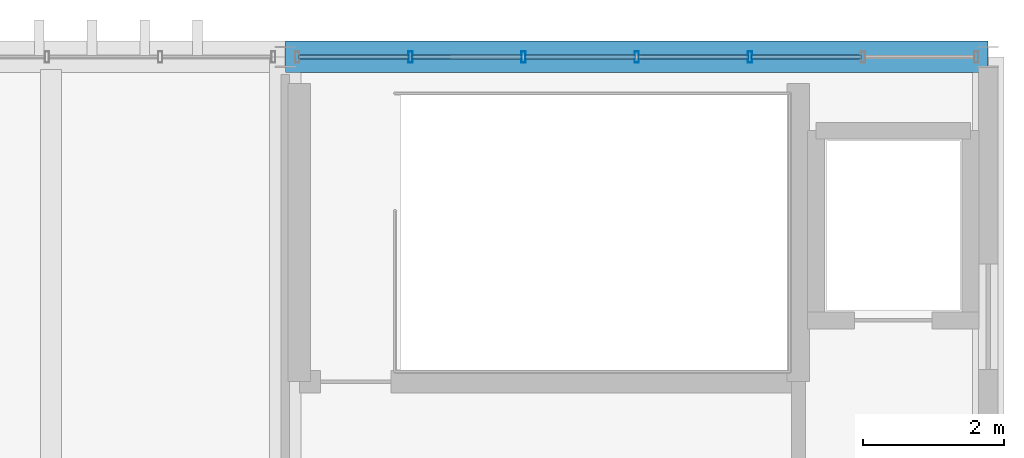
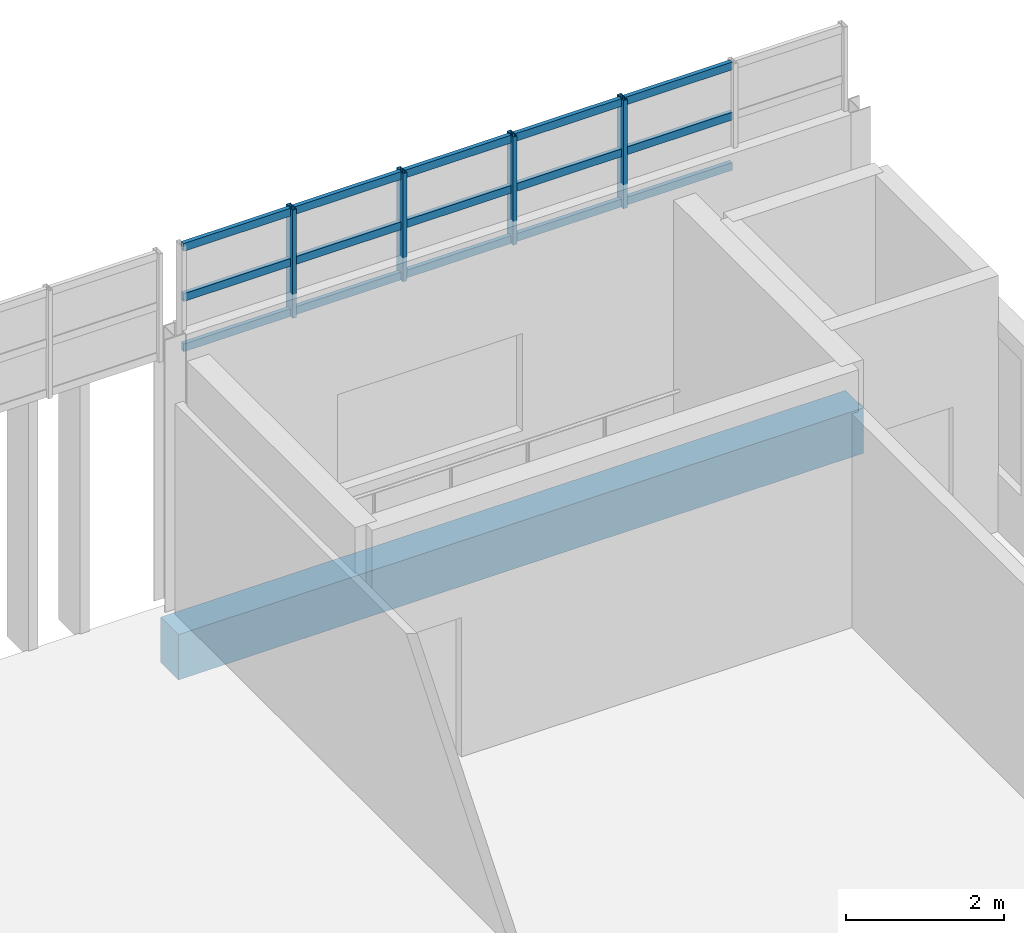
# One storey, part 27 of 36: 19 members, 1 beam, 1 element without a shape of its own.
"""IFC4 building model written with IfcOpenShell, lengths in metres."""

from ifc_helpers import new_model, si_unit, direction, frame, origin, origin_2d, place, context, subcontext, project, spatial, rectangle, hollow_rectangle, extrude, material, layer, layer_set, material_profile, profile_set, type_object, element, aggregate, save


model = new_model("IFC4")

# Units and contexts
model_context = context("Model", 3, precision=1e-05, world=origin(), true_north=direction((0.0, 1.0)))
body_context = subcontext(model_context, "Body", "Model", "MODEL_VIEW")
ifc_project = project(units=[si_unit("LENGTHUNIT", "METRE"), si_unit("AREAUNIT", "SQUARE_METRE"), si_unit("VOLUMEUNIT", "CUBIC_METRE"), si_unit("PLANEANGLEUNIT", "RADIAN"), si_unit("MASSUNIT", "GRAM", prefix="KILO")], contexts=[model_context])

# Site, building, storey
site_placement = place(None, origin())
site = spatial("IfcSite", under=ifc_project, at=site_placement, CompositionType="ELEMENT")
building_placement = place(site_placement, origin())
building = spatial("IfcBuilding", under=site, at=building_placement, Name="Mersad Railyard Sports Hall", CompositionType="ELEMENT")
storey_placement = place(building_placement, frame((0.0, 0.0, 21.60009765625)))
storey = spatial("IfcBuildingStorey", under=building, at=storey_placement, Name="L05", CompositionType="ELEMENT", Elevation=21.60009765625)

# Curtain wall, members
ifc_material_1 = material(Name="Aluminium 6063-T6", Category="aluminium")
ifc_layer = layer(ifc_material_1, 0.159912109375)
ifc_layer_set = layer_set([ifc_layer], Name="Aluminium 6063-T6")
curtain_wall_type = type_object("IfcCurtainWallType", Name="ARC-CW-CW51", PredefinedType="USERDEFINED", material=ifc_layer_set)
curtain_wall_placement = place(storey_placement, origin())
curtain_wall = element("IfcCurtainWall", 1, at=curtain_wall_placement, inside=storey, type_object=curtain_wall_type, Name="Curtain wall CW51-0137", ObjectType="CURTAIN WALL", PredefinedType="USERDEFINED")
ifc_material_profile_1 = material_profile(ifc_material_1, hollow_rectangle(XDim=0.06005859375, YDim=0.159912109375, WallThickness=0.00390625, at=origin_2d()), Name="AL MULLION 60x160x4")
ifc_profile_set_1 = profile_set([ifc_material_profile_1], Name="Aluminium 6063-T6")
member_type_1 = type_object("IfcMemberType", Name="ARC-CW-MUL01", PredefinedType="MULLION", material=ifc_profile_set_1)
member_1_placement = place(storey_placement, frame((112.780029296875, 115.0, 3.829833984375), z_axis=(0.0, 0.0, 1.0), x_axis=(1.0, 0.0, 0.0)))
member_1 = element("IfcMember", 2, at=member_1_placement, type_object=member_type_1, Name="CW51 Mullion 2", PredefinedType="MULLION", context=body_context, shape_type="SweptSolid", body=[
    extrude(hollow_rectangle(XDim=0.06005859375, YDim=0.159912109375, WallThickness=0.00390625, at=origin_2d()), origin(), (0.0, 0.0, 1.0), 1.670166015625),
])
member_2_placement = place(storey_placement, frame((114.389892578125, 115.0, 3.829833984375), z_axis=(0.0, 0.0, 1.0), x_axis=(1.0, 0.0, 0.0)))
member_2 = element("IfcMember", 3, at=member_2_placement, type_object=member_type_1, Name="CW51 Mullion 3", PredefinedType="MULLION", context=body_context, shape_type="SweptSolid", body=[
    extrude(hollow_rectangle(XDim=0.06005859375, YDim=0.159912109375, WallThickness=0.00390625, at=origin_2d()), origin(), (0.0, 0.0, 1.0), 1.670166015625),
])
member_3_placement = place(storey_placement, frame((116.0, 115.0, 3.829833984375), z_axis=(0.0, 0.0, 1.0), x_axis=(1.0, 0.0, 0.0)))
member_3 = element("IfcMember", 4, at=member_3_placement, type_object=member_type_1, Name="CW51 Mullion 4", PredefinedType="MULLION", context=body_context, shape_type="SweptSolid", body=[
    extrude(hollow_rectangle(XDim=0.06005859375, YDim=0.159912109375, WallThickness=0.00390625, at=origin_2d()), origin(), (0.0, 0.0, 1.0), 1.670166015625),
])
member_4_placement = place(storey_placement, frame((117.610107421875, 115.0, 3.829833984375), z_axis=(0.0, 0.0, 1.0), x_axis=(1.0, 0.0, 0.0)))
member_4 = element("IfcMember", 5, at=member_4_placement, type_object=member_type_1, Name="CW51 Mullion 5", PredefinedType="MULLION", context=body_context, shape_type="SweptSolid", body=[
    extrude(hollow_rectangle(XDim=0.06005859375, YDim=0.159912109375, WallThickness=0.00390625, at=origin_2d()), origin(), (0.0, 0.0, 1.0), 1.670166015625),
])
ifc_material_profile_2 = material_profile(ifc_material_1, hollow_rectangle(XDim=0.06005859375, YDim=0.1201171875, WallThickness=0.00390625, at=origin_2d()), Name="AL TRANSOM 60x120x4")
ifc_profile_set_2 = profile_set([ifc_material_profile_2], Name="Aluminium 6063-T6")
member_type_2 = type_object("IfcMemberType", Name="ARC-CW-TRN01", PredefinedType="USERDEFINED", material=ifc_profile_set_2)
member_5_placement = place(storey_placement, frame((111.18994140625, 115.0, 3.889892578125), z_axis=(1.0, 0.0, 0.0), x_axis=(0.0, 1.0, 0.0)))
member_5 = element("IfcMember", 6, at=member_5_placement, type_object=member_type_2, Name="CW51 Transom 1-1", ObjectType="TRANSOM", PredefinedType="USERDEFINED", context=body_context, shape_type="SweptSolid", body=[
    extrude(hollow_rectangle(XDim=0.06005859375, YDim=0.1201171875, WallThickness=0.00390625, at=origin_2d()), origin(), (0.0, 0.0, 1.0), 1.570068359375),
])
member_6_placement = place(storey_placement, frame((112.800048828125, 115.0, 3.889892578125), z_axis=(1.0, 0.0, 0.0), x_axis=(0.0, 1.0, 0.0)))
member_6 = element("IfcMember", 7, at=member_6_placement, type_object=member_type_2, Name="CW51 Transom 1-2", ObjectType="TRANSOM", PredefinedType="USERDEFINED", context=body_context, shape_type="SweptSolid", body=[
    extrude(hollow_rectangle(XDim=0.06005859375, YDim=0.1201171875, WallThickness=0.00390625, at=origin_2d()), origin(), (0.0, 0.0, 1.0), 1.570068359375),
])
member_7_placement = place(storey_placement, frame((114.409912109375, 115.0, 3.889892578125), z_axis=(1.0, 0.0, 0.0), x_axis=(0.0, 1.0, 0.0)))
member_7 = element("IfcMember", 8, at=member_7_placement, type_object=member_type_2, Name="CW51 Transom 1-3", ObjectType="TRANSOM", PredefinedType="USERDEFINED", context=body_context, shape_type="SweptSolid", body=[
    extrude(hollow_rectangle(XDim=0.06005859375, YDim=0.1201171875, WallThickness=0.00390625, at=origin_2d()), origin(), (0.0, 0.0, 1.0), 1.570068359375),
])
member_8_placement = place(storey_placement, frame((116.02001953125, 115.0, 3.889892578125), z_axis=(1.0, 0.0, 0.0), x_axis=(0.0, 1.0, 0.0)))
member_8 = element("IfcMember", 9, at=member_8_placement, type_object=member_type_2, Name="CW51 Transom 1-4", ObjectType="TRANSOM", PredefinedType="USERDEFINED", context=body_context, shape_type="SweptSolid", body=[
    extrude(hollow_rectangle(XDim=0.06005859375, YDim=0.1201171875, WallThickness=0.00390625, at=origin_2d()), origin(), (0.0, 0.0, 1.0), 1.570068359375),
])
member_9_placement = place(storey_placement, frame((117.6298828125, 115.0, 3.889892578125), z_axis=(1.0, 0.0, 0.0), x_axis=(0.0, 1.0, 0.0)))
member_9 = element("IfcMember", 10, at=member_9_placement, type_object=member_type_2, Name="CW51 Transom 1-5", ObjectType="TRANSOM", PredefinedType="USERDEFINED", context=body_context, shape_type="SweptSolid", body=[
    extrude(hollow_rectangle(XDim=0.06005859375, YDim=0.1201171875, WallThickness=0.00390625, at=origin_2d()), origin(), (0.0, 0.0, 1.0), 1.570068359375),
])
member_10_placement = place(storey_placement, frame((111.18994140625, 115.0, 4.664794921875), z_axis=(1.0, 0.0, 0.0), x_axis=(0.0, 1.0, 0.0)))
member_10 = element("IfcMember", 11, at=member_10_placement, type_object=member_type_2, Name="CW51 Transom 2-1", ObjectType="TRANSOM", PredefinedType="USERDEFINED", context=body_context, shape_type="SweptSolid", body=[
    extrude(hollow_rectangle(XDim=0.06005859375, YDim=0.1201171875, WallThickness=0.00390625, at=origin_2d()), origin(), (0.0, 0.0, 1.0), 1.570068359375),
])
member_11_placement = place(storey_placement, frame((112.800048828125, 115.0, 4.664794921875), z_axis=(1.0, 0.0, 0.0), x_axis=(0.0, 1.0, 0.0)))
member_11 = element("IfcMember", 12, at=member_11_placement, type_object=member_type_2, Name="CW51 Transom 2-2", ObjectType="TRANSOM", PredefinedType="USERDEFINED", context=body_context, shape_type="SweptSolid", body=[
    extrude(hollow_rectangle(XDim=0.06005859375, YDim=0.1201171875, WallThickness=0.00390625, at=origin_2d()), origin(), (0.0, 0.0, 1.0), 1.570068359375),
])
member_12_placement = place(storey_placement, frame((114.409912109375, 115.0, 4.664794921875), z_axis=(1.0, 0.0, 0.0), x_axis=(0.0, 1.0, 0.0)))
member_12 = element("IfcMember", 13, at=member_12_placement, type_object=member_type_2, Name="CW51 Transom 2-3", ObjectType="TRANSOM", PredefinedType="USERDEFINED", context=body_context, shape_type="SweptSolid", body=[
    extrude(hollow_rectangle(XDim=0.06005859375, YDim=0.1201171875, WallThickness=0.00390625, at=origin_2d()), origin(), (0.0, 0.0, 1.0), 1.570068359375),
])
member_13_placement = place(storey_placement, frame((116.02001953125, 115.0, 4.664794921875), z_axis=(1.0, 0.0, 0.0), x_axis=(0.0, 1.0, 0.0)))
member_13 = element("IfcMember", 14, at=member_13_placement, type_object=member_type_2, Name="CW51 Transom 2-4", ObjectType="TRANSOM", PredefinedType="USERDEFINED", context=body_context, shape_type="SweptSolid", body=[
    extrude(hollow_rectangle(XDim=0.06005859375, YDim=0.1201171875, WallThickness=0.00390625, at=origin_2d()), origin(), (0.0, 0.0, 1.0), 1.570068359375),
])
member_14_placement = place(storey_placement, frame((117.6298828125, 115.0, 4.664794921875), z_axis=(1.0, 0.0, 0.0), x_axis=(0.0, 1.0, 0.0)))
member_14 = element("IfcMember", 15, at=member_14_placement, type_object=member_type_2, Name="CW51 Transom 2-5", ObjectType="TRANSOM", PredefinedType="USERDEFINED", context=body_context, shape_type="SweptSolid", body=[
    extrude(hollow_rectangle(XDim=0.06005859375, YDim=0.1201171875, WallThickness=0.00390625, at=origin_2d()), origin(), (0.0, 0.0, 1.0), 1.570068359375),
])
member_15_placement = place(storey_placement, frame((111.18994140625, 115.0, 5.43994140625), z_axis=(1.0, 0.0, 0.0), x_axis=(0.0, 1.0, 0.0)))
member_15 = element("IfcMember", 16, at=member_15_placement, type_object=member_type_2, Name="CW51 Transom 3-1", ObjectType="TRANSOM", PredefinedType="USERDEFINED", context=body_context, shape_type="SweptSolid", body=[
    extrude(hollow_rectangle(XDim=0.06005859375, YDim=0.1201171875, WallThickness=0.00390625, at=origin_2d()), origin(), (0.0, 0.0, 1.0), 1.570068359375),
])
member_16_placement = place(storey_placement, frame((112.800048828125, 115.0, 5.43994140625), z_axis=(1.0, 0.0, 0.0), x_axis=(0.0, 1.0, 0.0)))
member_16 = element("IfcMember", 17, at=member_16_placement, type_object=member_type_2, Name="CW51 Transom 3-2", ObjectType="TRANSOM", PredefinedType="USERDEFINED", context=body_context, shape_type="SweptSolid", body=[
    extrude(hollow_rectangle(XDim=0.06005859375, YDim=0.1201171875, WallThickness=0.00390625, at=origin_2d()), origin(), (0.0, 0.0, 1.0), 1.570068359375),
])
member_17_placement = place(storey_placement, frame((114.409912109375, 115.0, 5.43994140625), z_axis=(1.0, 0.0, 0.0), x_axis=(0.0, 1.0, 0.0)))
member_17 = element("IfcMember", 18, at=member_17_placement, type_object=member_type_2, Name="CW51 Transom 3-3", ObjectType="TRANSOM", PredefinedType="USERDEFINED", context=body_context, shape_type="SweptSolid", body=[
    extrude(hollow_rectangle(XDim=0.06005859375, YDim=0.1201171875, WallThickness=0.00390625, at=origin_2d()), origin(), (0.0, 0.0, 1.0), 1.570068359375),
])
member_18_placement = place(storey_placement, frame((116.02001953125, 115.0, 5.43994140625), z_axis=(1.0, 0.0, 0.0), x_axis=(0.0, 1.0, 0.0)))
member_18 = element("IfcMember", 19, at=member_18_placement, type_object=member_type_2, Name="CW51 Transom 3-4", ObjectType="TRANSOM", PredefinedType="USERDEFINED", context=body_context, shape_type="SweptSolid", body=[
    extrude(hollow_rectangle(XDim=0.06005859375, YDim=0.1201171875, WallThickness=0.00390625, at=origin_2d()), origin(), (0.0, 0.0, 1.0), 1.570068359375),
])
member_19_placement = place(storey_placement, frame((117.6298828125, 115.0, 5.43994140625), z_axis=(1.0, 0.0, 0.0), x_axis=(0.0, 1.0, 0.0)))
member_19 = element("IfcMember", 20, at=member_19_placement, type_object=member_type_2, Name="CW51 Transom 3-5", ObjectType="TRANSOM", PredefinedType="USERDEFINED", context=body_context, shape_type="SweptSolid", body=[
    extrude(hollow_rectangle(XDim=0.06005859375, YDim=0.1201171875, WallThickness=0.00390625, at=origin_2d()), origin(), (0.0, 0.0, 1.0), 1.570068359375),
])
aggregate(curtain_wall, [member_1, member_2, member_3, member_4, member_5, member_6, member_7, member_8, member_9, member_10, member_11, member_12, member_13, member_14, member_15, member_16, member_17, member_18, member_19])

# Beam
ifc_material_2 = material(Name="Architectural concrete C40/50", Category="concrete")
ifc_material_profile_3 = material_profile(ifc_material_2, rectangle(XDim=0.449951171875, YDim=0.699951171875, at=origin_2d()), Name="RC 450x700")
ifc_profile_set_3 = profile_set([ifc_material_profile_3], Name="Architectural concrete C40/50")
beam_type = type_object("IfcBeamType", Name="STR-BM-SP01", PredefinedType="SPANDREL", material=ifc_profile_set_3)
beam_placement = place(storey_placement, frame((111.0, 115.0, -0.7001953125), z_axis=(1.0, 0.0, 0.0), x_axis=(0.0, 1.0, 0.0)))
element("IfcBeam", 21, at=beam_placement, inside=storey, type_object=beam_type, Name="Beam SP01-1426", PredefinedType="SPANDREL", context=body_context, shape_type="SweptSolid", body=[
    extrude(rectangle(XDim=0.449951171875, YDim=0.699951171875, at=origin_2d()), origin(), (0.0, 0.0, 1.0), 10.0),
])

save(model, "model.ifc")
